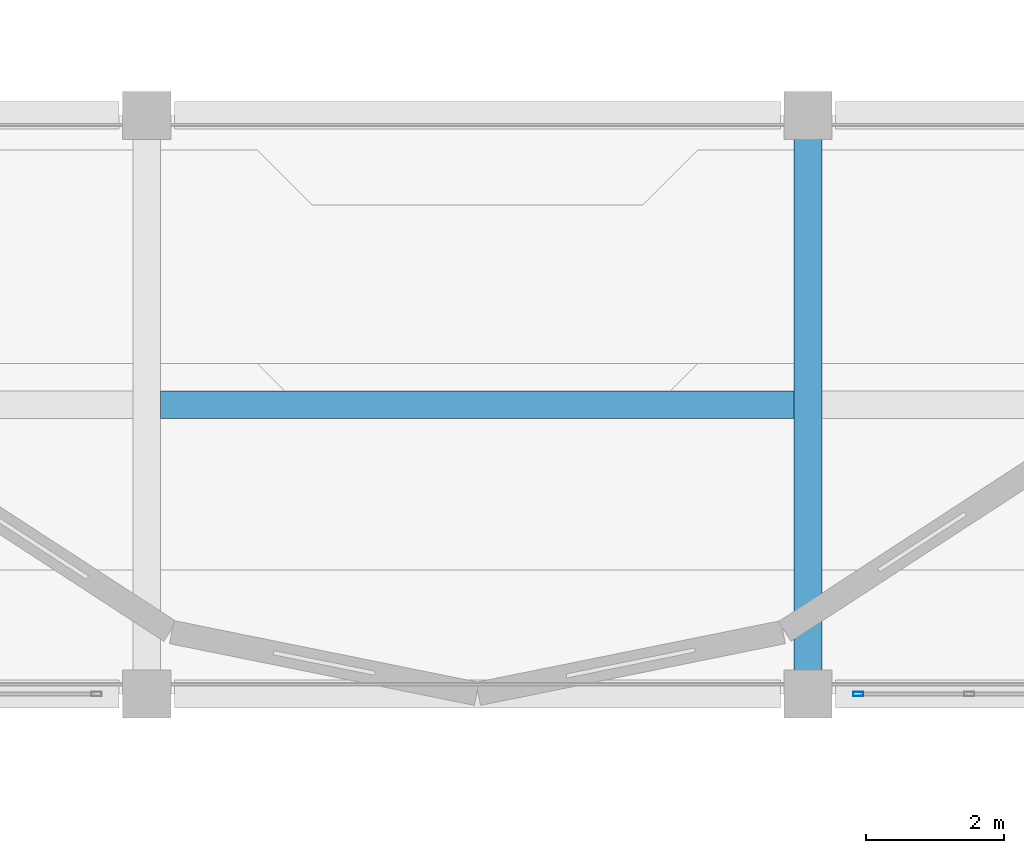
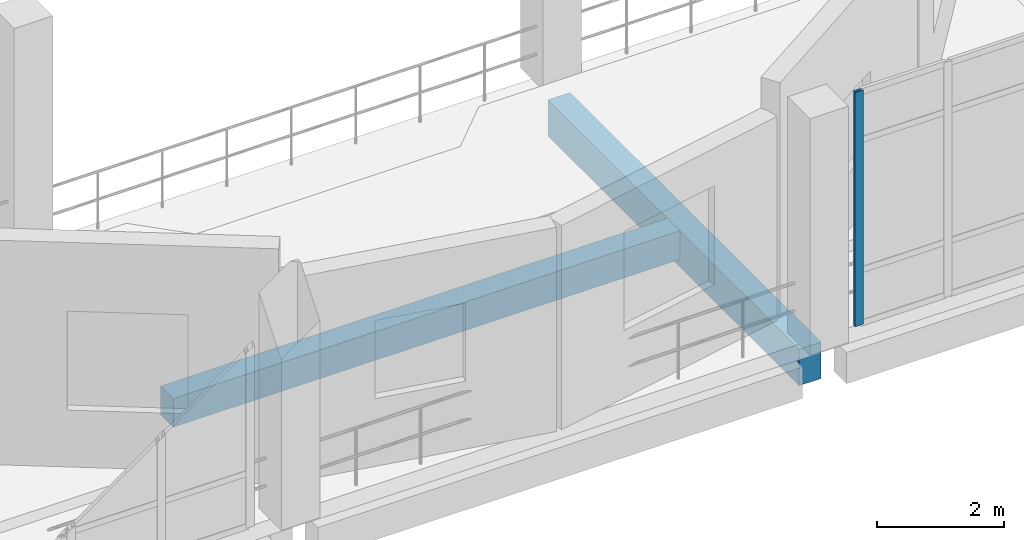
# One storey, part 45 of 102: 2 beams, 1 member, 1 element without a shape of its own.
"""IFC4 building model written with IfcOpenShell, lengths in metres."""

import ifcopenshell
import ifcopenshell.guid

model = None  # the IFC model being written
_history = None  # IfcOwnerHistory: only IFC2X3 demands one
_inside = {}  # id of a spatial element -> (the spatial element, [elements in it])
_under = {}  # id of a project, library or spatial element -> (it, [spatial elements below it])
_declared = {}  # id of a project -> (the project, [libraries it declares])
_typed = {}  # id of a type object -> (the type object, [elements of that type])
_made_of = {}  # id of a material, layer set ... -> (it, [elements and type objects made of it])


def new_model(schema):
    """Start an empty IFC model of exactly this schema.

    Asked for "IFC4X3", IfcOpenShell would pick the latest addendum, in which some entities
    have other attributes; the version numbers below select the first issue.
    IFC2X3 requires an IfcOwnerHistory on every rooted entity: one is made here for all.
    """
    global model, _history
    if schema == "IFC4X3":
        model = ifcopenshell.file(schema_version=(4, 3, 0, 0))
    else:
        model = ifcopenshell.file(schema=schema)
    _inside.clear()
    _under.clear()
    _declared.clear()
    _typed.clear()
    _made_of.clear()
    _history = None
    if model.schema == "IFC2X3":
        org = make("IfcOrganization", Name="unknown")
        user = make(
            "IfcPersonAndOrganization",
            ThePerson=make("IfcPerson", FamilyName="unknown"),
            TheOrganization=org,
        )
        app = make(
            "IfcApplication",
            ApplicationDeveloper=org,
            Version="unknown",
            ApplicationFullName="unknown",
            ApplicationIdentifier="unknown",
        )
        _history = make(
            "IfcOwnerHistory",
            OwningUser=user,
            OwningApplication=app,
            ChangeAction="ADDED",
            CreationDate=0,
        )
    return model


def make(cls, **values):
    """One entity of the class cls with the attributes given. An attribute that is None is left unset."""
    return model.create_entity(
        cls, **{name: value for name, value in values.items() if value is not None}
    )


def rooted(cls, **values):
    """An entity with a GlobalId (a new one), such as an element, a storey or a relation."""
    return make(cls, GlobalId=ifcopenshell.guid.new(), OwnerHistory=_history, **values)


def si_unit(unit_type, name, prefix=None):
    """IfcSIUnit, for example si_unit("LENGTHUNIT", "METRE", prefix="MILLI")."""
    return make("IfcSIUnit", UnitType=unit_type, Prefix=prefix, Name=name)


def assignment(units):
    """IfcUnitAssignment: the units of a project."""
    return None if units is None else make("IfcUnitAssignment", Units=units)


def point(xyz):
    """IfcCartesianPoint."""
    return None if xyz is None else make("IfcCartesianPoint", Coordinates=xyz)


def direction(xyz):
    """IfcDirection."""
    return None if xyz is None else make("IfcDirection", DirectionRatios=xyz)


def frame(location, z_axis=None, x_axis=None):
    """IfcAxis2Placement3D, a coordinate frame: its origin and axes. An axis left out is left unset."""
    return make(
        "IfcAxis2Placement3D",
        Location=point(location),
        Axis=direction(z_axis),
        RefDirection=direction(x_axis),
    )


def frame_2d(location, x_axis=None):
    """IfcAxis2Placement2D, a coordinate frame in the plane: its origin and x axis."""
    return make(
        "IfcAxis2Placement2D", Location=point(location), RefDirection=direction(x_axis)
    )


def origin():
    """The frame at (0, 0, 0) with its axes left unset."""
    return frame((0.0, 0.0, 0.0))


def origin_2d():
    """The frame at (0, 0) in the plane with its x axis left unset."""
    return frame_2d((0.0, 0.0))


def place(relative_to, where):
    """IfcLocalPlacement: puts the frame where relative to a parent placement (None: the world)."""
    return make(
        "IfcLocalPlacement", PlacementRelTo=relative_to, RelativePlacement=where
    )


def context(
    kind, dimensions, precision=None, world=None, true_north=None, identifier=None
):
    """IfcGeometricRepresentationContext, for example the 3D "Model" context."""
    return make(
        "IfcGeometricRepresentationContext",
        ContextIdentifier=identifier,
        ContextType=kind,
        CoordinateSpaceDimension=dimensions,
        Precision=precision,
        WorldCoordinateSystem=world,
        TrueNorth=true_north,
    )


def subcontext(parent, identifier, kind, view, scale=None):
    """IfcGeometricRepresentationSubContext, for example "Body" below "Model"."""
    return make(
        "IfcGeometricRepresentationSubContext",
        ContextIdentifier=identifier,
        ContextType=kind,
        ParentContext=parent,
        TargetScale=scale,
        TargetView=view,
    )


def project(units=None, contexts=None):
    """IfcProject with its units and contexts."""
    return rooted(
        "IfcProject",
        Name="project",
        RepresentationContexts=contexts,
        UnitsInContext=assignment(units),
    )


def spatial(cls, under=None, at=None, **own):
    """A site, building, storey or space (cls), placed at a placement, below another one or the project."""
    s = rooted(cls, ObjectPlacement=at, **own)
    if under is not None:
        _under.setdefault(under.id(), (under, []))[1].append(s)
    return s


def profile(cls, at=None, kind="AREA", **sizes):
    """A parametric profile (cls). Its sizes go by their IFC names, for example OverallWidth=200.0."""
    return make(cls, ProfileType=kind, Position=at, **sizes)


def rectangle(**sizes):
    """IfcRectangleProfileDef."""
    return profile("IfcRectangleProfileDef", **sizes)


def hollow_rectangle(**sizes):
    """IfcRectangleHollowProfileDef."""
    return profile("IfcRectangleHollowProfileDef", **sizes)


def extrude(swept, where, along, depth):
    """IfcExtrudedAreaSolid: the profile swept, set in the frame where, extruded along a direction by depth."""
    return make(
        "IfcExtrudedAreaSolid",
        SweptArea=swept,
        Position=where,
        ExtrudedDirection=direction(along),
        Depth=depth,
    )


def shape(context_of_items, identifier, shape_type, items):
    """IfcShapeRepresentation: the items that make up one representation, for example the "Body"."""
    return make(
        "IfcShapeRepresentation",
        ContextOfItems=context_of_items,
        RepresentationIdentifier=identifier,
        RepresentationType=shape_type,
        Items=items,
    )


def material(Name=None, Category=None):
    """IfcMaterial."""
    return make("IfcMaterial", Name=Name, Category=Category)


def layer(
    of_material, thickness, ventilated=None, Name=None, Category=None, Priority=None
):
    """IfcMaterialLayer: one layer of a wall or slab, of a material (None: an air gap)."""
    return make(
        "IfcMaterialLayer",
        Material=of_material,
        LayerThickness=thickness,
        IsVentilated=ventilated,
        Name=Name,
        Category=Category,
        Priority=Priority,
    )


def layer_set(layers, Name=None):
    """IfcMaterialLayerSet."""
    return make("IfcMaterialLayerSet", MaterialLayers=layers, LayerSetName=Name)


def material_profile(
    of_material, cross_section, Name=None, Category=None, Priority=None
):
    """IfcMaterialProfile: a cross section and its material."""
    return make(
        "IfcMaterialProfile",
        Name=Name,
        Material=of_material,
        Profile=cross_section,
        Priority=Priority,
        Category=Category,
    )


def profile_set(profiles, Name=None, composite=None):
    """IfcMaterialProfileSet."""
    return make(
        "IfcMaterialProfileSet",
        Name=Name,
        MaterialProfiles=profiles,
        CompositeProfile=composite,
    )


def made_of(thing, what):
    """Note that an element or type object is made of a material, layer set ...; save() writes the relation."""
    if what is not None:
        _made_of.setdefault(what.id(), (what, []))[1].append(thing)
    return thing


def type_object(cls, material=None, **own):
    """A type object (cls), such as IfcWallType, which elements share."""
    return made_of(rooted(cls, **own), material)


def element(
    cls,
    number,
    at=None,
    inside=None,
    cuts=None,
    type_object=None,
    material=None,
    context=None,
    identifier="Body",
    shape_type=None,
    held_by="IfcProductDefinitionShape",
    body=None,
    shapes=None,
    **own,
):
    """One element of the class cls, such as IfcWall. Its Tag is "e" and its number.

    at: its placement. inside: the storey or other place that contains it. cuts: it is an
    opening in that element (IfcRelVoidsElement). A single representation is given by context,
    identifier, shape_type and body (its items); several are given by shapes. held_by: the class
    of the entity that holds the representations. save() writes the other relations.
    """
    e = rooted(cls, Tag="e%d" % number, ObjectPlacement=at, **own)
    if body is not None:
        shapes = [shape(context, identifier, shape_type, body)]
    if shapes is not None:
        e.Representation = make(held_by, Representations=shapes)
    if inside is not None:
        _inside.setdefault(inside.id(), (inside, []))[1].append(e)
    if cuts is not None:
        rooted(
            "IfcRelVoidsElement", RelatingBuildingElement=cuts, RelatedOpeningElement=e
        )
    if type_object is not None:
        _typed.setdefault(type_object.id(), (type_object, []))[1].append(e)
    return made_of(e, material)


def aggregate(whole, parts):
    """IfcRelAggregates: a whole, such as a stair, and the parts it consists of."""
    return rooted("IfcRelAggregates", RelatingObject=whole, RelatedObjects=parts)


def save(model, path):
    """Write the relations noted so far, then the file.

    IfcRelAggregates (storeys below a building ...), IfcRelContainedInSpatialStructure (elements
    in a storey), IfcRelDefinesByType, IfcRelAssociatesMaterial and IfcRelDeclares: one each for
    every whole, place, type object, material and project.
    """
    for whole, parts in _under.values():
        aggregate(whole, parts)
    for where, things in _inside.values():
        rooted(
            "IfcRelContainedInSpatialStructure",
            RelatedElements=things,
            RelatingStructure=where,
        )
    for kind, things in _typed.values():
        rooted("IfcRelDefinesByType", RelatedObjects=things, RelatingType=kind)
    for what, things in _made_of.values():
        rooted("IfcRelAssociatesMaterial", RelatedObjects=things, RelatingMaterial=what)
    for by, libraries in _declared.values():
        rooted("IfcRelDeclares", RelatingContext=by, RelatedDefinitions=libraries)
    model.write(path)


model = new_model("IFC4")

# Units and contexts
model_context = context("Model", 3, precision=1e-05, world=origin(), true_north=direction((0.0, 1.0)))
body_context = subcontext(model_context, "Body", "Model", "MODEL_VIEW")
ifc_project = project(units=[si_unit("LENGTHUNIT", "METRE"), si_unit("AREAUNIT", "SQUARE_METRE"), si_unit("VOLUMEUNIT", "CUBIC_METRE"), si_unit("PLANEANGLEUNIT", "RADIAN"), si_unit("MASSUNIT", "GRAM", prefix="KILO")], contexts=[model_context])

# Site, building, storey
site_placement = place(None, origin())
site = spatial("IfcSite", under=ifc_project, at=site_placement, CompositionType="ELEMENT")
building_placement = place(site_placement, origin())
building = spatial("IfcBuilding", under=site, at=building_placement, Name="Lornevale Opera House", CompositionType="ELEMENT")
storey_placement = place(building_placement, frame((0.0, 0.0, 5.39990234375)))
storey = spatial("IfcBuildingStorey", under=building, at=storey_placement, Name="L02", CompositionType="ELEMENT", Elevation=5.39990234375)

# Beams
ifc_material_1 = material(Name="Concrete 35 MPa (CSA A23.1 N)", Category="concrete")
ifc_material_profile_1 = material_profile(ifc_material_1, rectangle(XDim=0.39990234375, YDim=0.550048828125, at=origin_2d()), Name="RC400x550")
ifc_profile_set_1 = profile_set([ifc_material_profile_1], Name="Concrete 35 MPa (CSA A23.1 N)")
beam_type_1 = type_object("IfcBeamType", Name="Auditorium Tier Raker Beam 400x550", PredefinedType="JOIST", material=ifc_profile_set_1)
beam_1_placement = place(storey_placement, frame((77.0, 37.800048828125, -0.574951171875), z_axis=(1.0, 0.0, 0.0), x_axis=(0.0, 1.0, 0.0)))
element("IfcBeam", 1, at=beam_1_placement, inside=storey, type_object=beam_type_1, Name="Auditorium Tier Raker Beam 400x550 2029", PredefinedType="JOIST", context=body_context, shape_type="SweptSolid", body=[
    extrude(rectangle(XDim=0.39990234375, YDim=0.550048828125, at=origin_2d()), origin(), (0.0, 0.0, 1.0), 9.199951171875),
])
ifc_material_profile_2 = material_profile(ifc_material_1, rectangle(XDim=0.39990234375, YDim=0.699951171875, at=origin_2d()), Name="RC400x700")
ifc_profile_set_2 = profile_set([ifc_material_profile_2], Name="Concrete 35 MPa (CSA A23.1 N)")
beam_type_2 = type_object("IfcBeamType", Name="Concrete Floor Beam 400x700", PredefinedType="USERDEFINED", material=ifc_profile_set_2)
beam_2_placement = place(storey_placement, frame((86.39990234375, 33.85009765625, -0.64990234375), z_axis=(0.0, 1.0, 0.0), x_axis=(-1.0, 0.0, 0.0)))
element("IfcBeam", 2, at=beam_2_placement, inside=storey, type_object=beam_type_2, Name="Concrete Floor Beam 400x700 1904", ObjectType="GIRDER", PredefinedType="USERDEFINED", context=body_context, shape_type="SweptSolid", body=[
    extrude(rectangle(XDim=0.39990234375, YDim=0.699951171875, at=origin_2d()), origin(), (0.0, 0.0, 1.0), 7.89990234375),
])

# Curtain wall, member
ifc_material_2 = material(Name="Anodized Oxide-Green Aluminium Framing", Category="aluminium")
ifc_layer = layer(ifc_material_2, 0.14990234375)
ifc_layer_set = layer_set([ifc_layer], Name="Anodized Oxide-Green Aluminium Framing")
curtain_wall_type = type_object("IfcCurtainWallType", Name="North-Light Clerestory Curtain Wall M1600", PredefinedType="NOTDEFINED", material=ifc_layer_set)
curtain_wall_placement = place(storey_placement, origin())
curtain_wall = element("IfcCurtainWall", 3, at=curtain_wall_placement, inside=storey, type_object=curtain_wall_type, Name="North-Light Clerestory Curtain Wall M1600 CW-176", PredefinedType="NOTDEFINED")
ifc_material_profile_3 = material_profile(ifc_material_2, hollow_rectangle(XDim=0.06005859375, YDim=0.14990234375, WallThickness=0.00390625, at=origin_2d()), Name="ALU60x150x4")
ifc_profile_set_3 = profile_set([ifc_material_profile_3], Name="Anodized Oxide-Green Aluminium Framing")
member_type = type_object("IfcMemberType", Name="Curtain Wall Mullion 60x150", PredefinedType="MULLION", material=ifc_profile_set_3)
member_placement = place(storey_placement, frame((87.1298828125, 33.60009765625, 0.0), z_axis=(0.0, 0.0, 1.0), x_axis=(0.0, 1.0, 0.0)))
member = element("IfcMember", 4, at=member_placement, type_object=member_type, Name="Curtain Wall Mullion 60x150 CW3632", PredefinedType="MULLION", context=body_context, shape_type="SweptSolid", body=[
    extrude(hollow_rectangle(XDim=0.06005859375, YDim=0.14990234375, WallThickness=0.00390625, at=origin_2d()), origin(), (0.0, 0.0, 1.0), 4.5),
])
aggregate(curtain_wall, [member])

save(model, "model.ifc")
